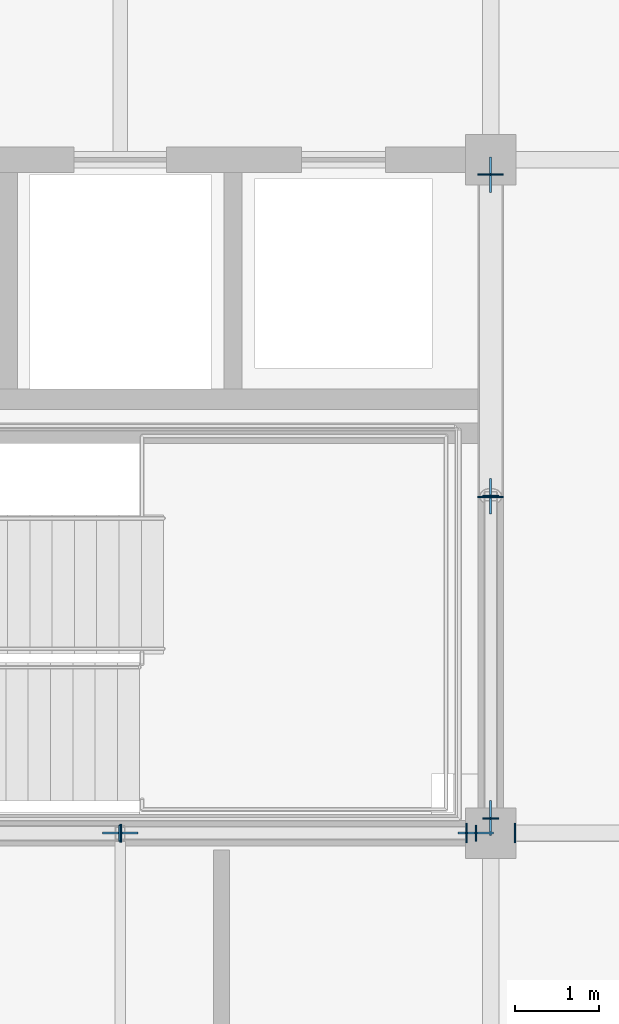
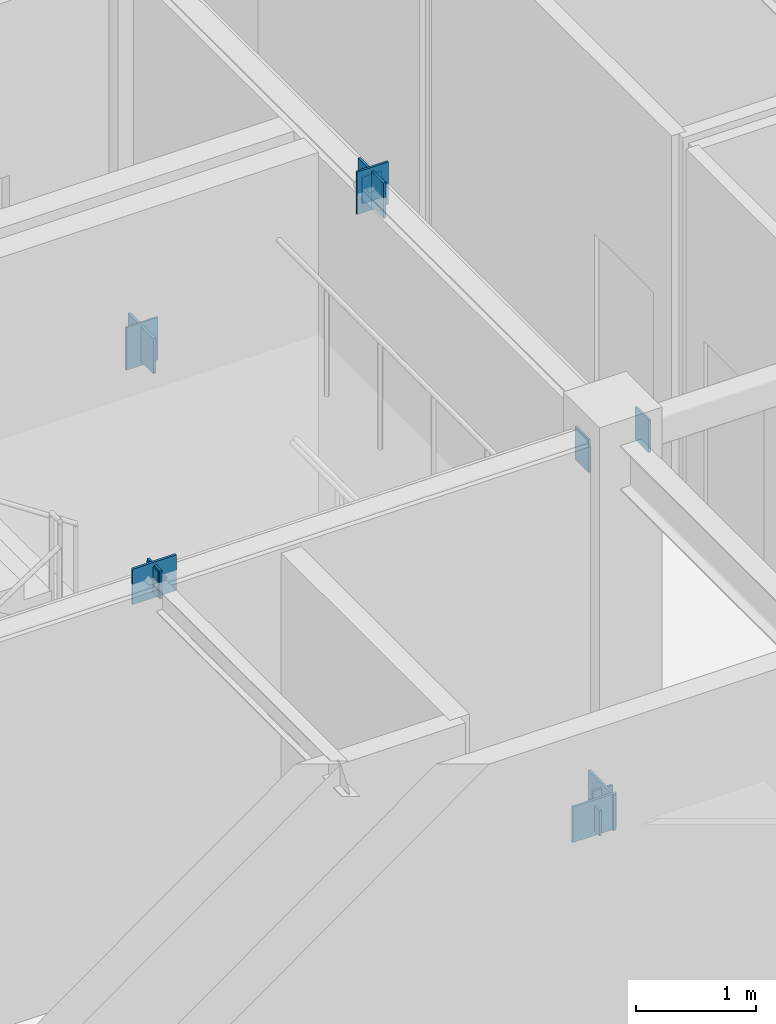
# One storey, part 6 of 18: 14 plates.
"""IFC4 building model written with IfcOpenShell, lengths in metres."""

from ifc_helpers import new_model, si_unit, direction, frame, origin, origin_2d, place, context, subcontext, project, spatial, rectangle, extrude, material, layer, layer_set, type_object, element, save


model = new_model("IFC4")

# Units and contexts
model_context = context("Model", 3, precision=1e-05, world=origin(), true_north=direction((0.0, 1.0)))
body_context = subcontext(model_context, "Body", "Model", "MODEL_VIEW")
ifc_project = project(units=[si_unit("LENGTHUNIT", "METRE"), si_unit("AREAUNIT", "SQUARE_METRE"), si_unit("VOLUMEUNIT", "CUBIC_METRE"), si_unit("PLANEANGLEUNIT", "RADIAN"), si_unit("MASSUNIT", "GRAM", prefix="KILO")], contexts=[model_context])

# Site, building, storey
site_placement = place(None, origin())
site = spatial("IfcSite", under=ifc_project, at=site_placement, CompositionType="ELEMENT")
building_placement = place(site_placement, origin())
building = spatial("IfcBuilding", under=site, at=building_placement, Name="Zhaolan Boulevard Law Courts", CompositionType="ELEMENT")
storey_placement = place(building_placement, frame((0.0, 0.0, 33.0)))
storey = spatial("IfcBuildingStorey", under=building, at=storey_placement, Name="L07", CompositionType="ELEMENT", Elevation=33.0)

# Plates
ifc_material_1 = material(Name="Structural steel Q355B", Category="steel")
ifc_layer_1 = layer(ifc_material_1, 0.02392578125)
ifc_layer_set_1 = layer_set([ifc_layer_1])
plate_type_1 = type_object("IfcPlateType", Name="BRACE GUSSET PLATE 24", PredefinedType="SHEET", material=ifc_layer_set_1)
for number, where, z_axis, x_axis, name in (
    (1, (26.219970703125, 46.0, -0.14990234375), (0.0, 0.0, 1.0), (1.0, 0.0, 0.0), "Brace Gusset Connection Plate GP-W1-L07-SA2"),
    (2, (22.0, 46.0, 3.73974609375), (0.0, 0.0, 1.0), (1.0, 0.0, 0.0), "Brace Gusset Connection Plate GP-W1-L07-SAPX"),
    (3, (26.39990234375, 46.179931640625, -0.14990234375), (0.0, 0.0, 1.0), (0.0, 1.0, 0.0), "Brace Gusset Connection Plate GP-W1-L07-EA1"),
    (4, (26.39990234375, 53.820068359375, -0.14990234375), (0.0, 0.0, 1.0), (0.0, 1.0, 0.0), "Brace Gusset Connection Plate GP-W1-L07-EA2"),
    (5, (26.39990234375, 50.0, 3.73974609375), (0.0, 0.0, 1.0), (0.0, 1.0, 0.0), "Brace Gusset Connection Plate GP-W1-L07-EAPX"),
):
    element("IfcPlate", number, at=place(storey_placement, frame(where, z_axis=z_axis, x_axis=x_axis)), inside=storey, type_object=plate_type_1, Name=name, PredefinedType="SHEET", context=body_context, shape_type="SweptSolid", body=[
        extrude(rectangle(XDim=0.419921875, YDim=0.02392578125, at=origin_2d()), origin(), (0.0, 0.0, 1.0), 0.360107421875),
    ])
ifc_material_2 = material(Name="Structural steel Q355B", Category="steel")
ifc_layer_2 = layer(ifc_material_2, 0.02001953125)
ifc_layer_set_2 = layer_set([ifc_layer_2])
plate_type_2 = type_object("IfcPlateType", Name="END CAP PLATE 20", PredefinedType="SHEET", material=ifc_layer_set_2)
for number, where, z_axis, x_axis, name in (
    (6, (26.112060546875, 46.0, 3.633056640625), (0.0, 0.0, 1.0), (1.0, 0.0, 0.0), "Hollow Section End-Cap Plate ECP-1024"),
    (7, (26.68798828125, 46.0, 3.633056640625), (0.0, 0.0, 1.0), (1.0, 0.0, 0.0), "Hollow Section End-Cap Plate ECP-1025"),
):
    element("IfcPlate", number, at=place(storey_placement, frame(where, z_axis=z_axis, x_axis=x_axis)), inside=storey, type_object=plate_type_2, Name=name, PredefinedType="SHEET", context=body_context, shape_type="SweptSolid", body=[
        extrude(rectangle(XDim=0.02001953125, YDim=0.22998046875, at=origin_2d()), origin(), (0.0, 0.0, 1.0), 0.330078125),
    ])
plate_placement = place(storey_placement, frame((22.005859375, 46.0, 3.7822265625), z_axis=(0.0, 0.0, 1.0), x_axis=(1.0, 0.0, 0.0)))
element("IfcPlate", 8, at=plate_placement, inside=storey, type_object=plate_type_2, Name="Hollow Section End-Cap Plate ECP-1112", PredefinedType="SHEET", context=body_context, shape_type="SweptSolid", body=[
    extrude(rectangle(XDim=0.02001953125, YDim=0.2099609375, at=origin_2d()), origin(), (0.0, 0.0, 1.0), 0.285888671875),
])
for number, where, z_axis, x_axis, name in (
    (9, (26.225830078125, 46.0, -0.1044921875), (0.0, 0.0, 1.0), (-1.0, 0.0, 0.0), "Hollow Section End-Cap Plate ECP-1113"),
    (10, (21.994140625, 46.0, 3.79638671875), (0.0, 0.0, 1.0), (-1.0, 0.0, 0.0), "Hollow Section End-Cap Plate ECP-1114"),
):
    element("IfcPlate", number, at=place(storey_placement, frame(where, z_axis=z_axis, x_axis=x_axis)), inside=storey, type_object=plate_type_2, Name=name, PredefinedType="SHEET", context=body_context, shape_type="SweptSolid", body=[
        extrude(rectangle(XDim=0.02001953125, YDim=0.18994140625, at=origin_2d()), origin(), (0.0, 0.0, 1.0), 0.258056640625),
    ])
for number, where, z_axis, x_axis, name in (
    (11, (26.39990234375, 46.17431640625, -0.111083984375), (0.0, 0.0, 1.0), (0.0, 1.0, 0.0), "Hollow Section End-Cap Plate ECP-1115"),
    (12, (26.39990234375, 50.005615234375, 3.790283203125), (0.0, 0.0, 1.0), (0.0, 1.0, 0.0), "Hollow Section End-Cap Plate ECP-1116"),
):
    element("IfcPlate", number, at=place(storey_placement, frame(where, z_axis=z_axis, x_axis=x_axis)), inside=storey, type_object=plate_type_2, Name=name, PredefinedType="SHEET", context=body_context, shape_type="SweptSolid", body=[
        extrude(rectangle(XDim=0.02001953125, YDim=0.18994140625, at=origin_2d()), origin(), (0.0, 0.0, 1.0), 0.27099609375),
    ])
for number, where, z_axis, x_axis, name in (
    (13, (26.39990234375, 53.82568359375, -0.19140625), (0.0, 0.0, 1.0), (0.0, -1.0, 0.0), "Hollow Section End-Cap Plate ECP-1117"),
    (14, (26.39990234375, 49.994384765625, 3.7099609375), (0.0, 0.0, 1.0), (0.0, -1.0, 0.0), "Hollow Section End-Cap Plate ECP-1118"),
):
    element("IfcPlate", number, at=place(storey_placement, frame(where, z_axis=z_axis, x_axis=x_axis)), inside=storey, type_object=plate_type_2, Name=name, PredefinedType="SHEET", context=body_context, shape_type="SweptSolid", body=[
        extrude(rectangle(XDim=0.02001953125, YDim=0.302978515625, at=origin_2d()), origin(), (0.0, 0.0, 1.0), 0.431884765625),
    ])

save(model, "model.ifc")
